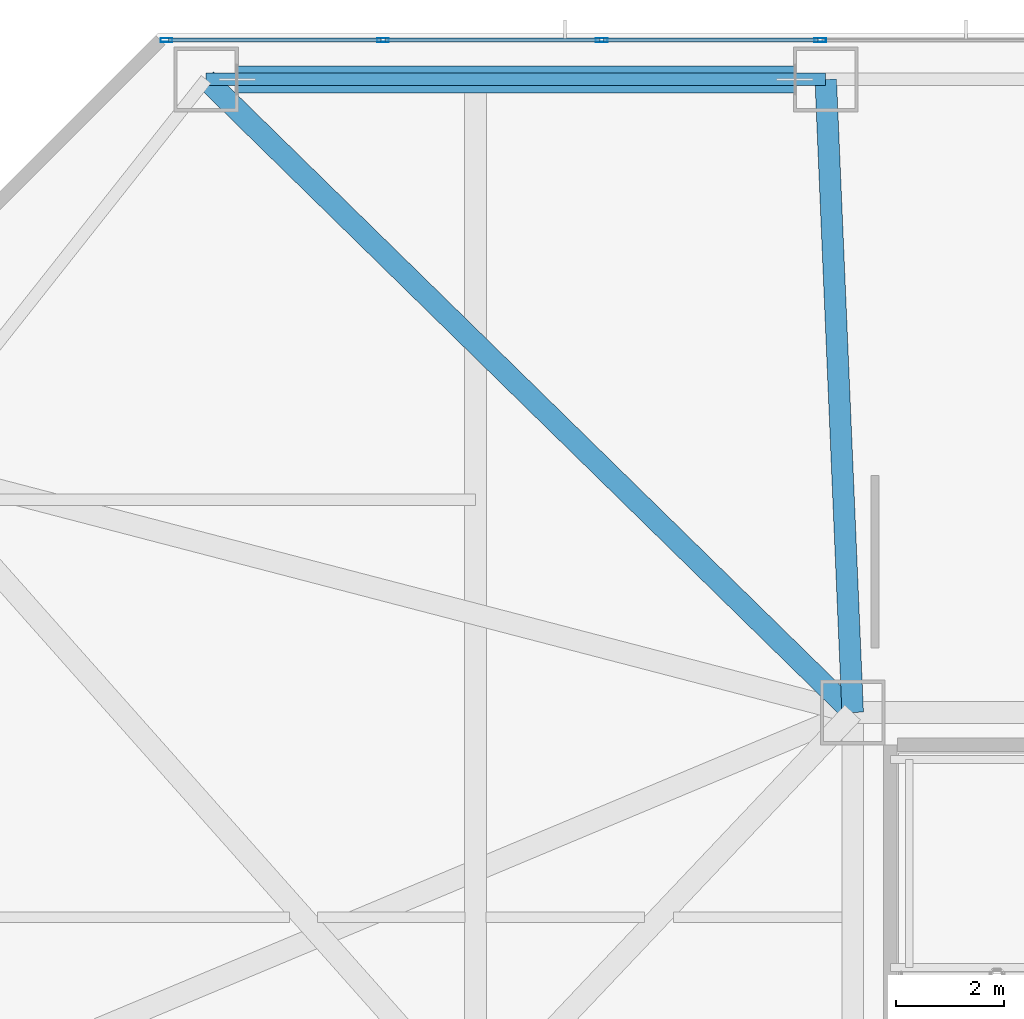
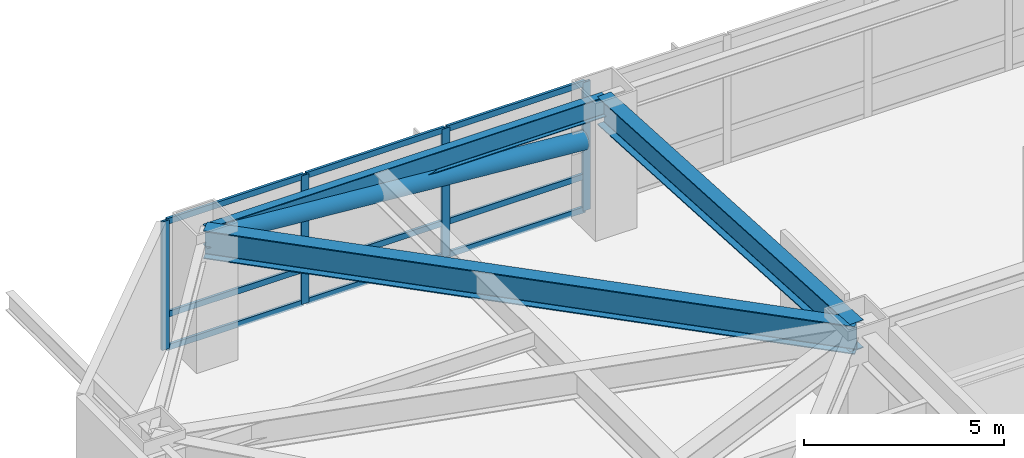
# One storey, part 3 of 25: 14 members, 3 beams, 1 element without a shape of its own.
"""IFC4 building model written with IfcOpenShell, lengths in metres."""

from ifc_helpers import new_model, si_unit, direction, frame, origin, origin_2d, place, context, subcontext, project, spatial, hollow_rectangle, hollow_circle, i_section, extrude, material, material_profile, profile_set, type_object, element, aggregate, save


model = new_model("IFC4")

# Units and contexts
model_context = context("Model", 3, precision=1e-05, world=origin(), true_north=direction((0.0, 1.0)))
body_context = subcontext(model_context, "Body", "Model", "MODEL_VIEW")
ifc_project = project(units=[si_unit("LENGTHUNIT", "METRE"), si_unit("AREAUNIT", "SQUARE_METRE"), si_unit("VOLUMEUNIT", "CUBIC_METRE"), si_unit("PLANEANGLEUNIT", "RADIAN"), si_unit("MASSUNIT", "GRAM", prefix="KILO")], contexts=[model_context])

# Site, building, storey
site_placement = place(None, origin())
site = spatial("IfcSite", under=ifc_project, at=site_placement, CompositionType="ELEMENT")
building_placement = place(site_placement, origin())
building = spatial("IfcBuilding", under=site, at=building_placement, Name="Khamvora Tower", CompositionType="ELEMENT")
storey_placement = place(building_placement, frame((0.0, 0.0, 16.199951171875)))
storey = spatial("IfcBuildingStorey", under=building, at=storey_placement, Name="L03", CompositionType="ELEMENT", Elevation=16.199951171875)

# Beams
ifc_material_1 = material(Name="Steel S355", Category="steel")
ifc_material_profile_1 = material_profile(ifc_material_1, i_section(OverallWidth=0.39990234375, OverallDepth=0.85498046875, WebThickness=0.01806640625, FlangeThickness=0.029052734375, FilletRadius=0.01806640625, at=origin_2d()), Name="W840x299")
ifc_profile_set_1 = profile_set([ifc_material_profile_1], Name="Steel S355")
beam_type_1 = type_object("IfcBeamType", Name="BM-PG-W840x299", PredefinedType="BEAM", material=ifc_profile_set_1)
beam_1_placement = place(storey_placement, frame((18.5, 43.39990234375, 3.4931640625), z_axis=(-0.714510426493, 0.699624792608, 0.0), x_axis=(-0.699624792608, -0.714510426493, 0.0)))
element("IfcBeam", 1, at=beam_1_placement, inside=storey, type_object=beam_type_1, Name="L03 primary floor girder P05", PredefinedType="BEAM", context=body_context, shape_type="SweptSolid", body=[
    extrude(i_section(OverallWidth=0.39990234375, OverallDepth=0.85498046875, WebThickness=0.01806640625, FlangeThickness=0.029052734375, FilletRadius=0.01806640625, at=origin_2d()), origin(), (0.0, 0.0, 1.0), 16.794677734375),
])
beam_2_placement = place(storey_placement, frame((18.5, 43.39990234375, 3.4931640625), z_axis=(-0.042514716625, 0.999095840683, 0.0), x_axis=(-0.999095840683, -0.042514716625, 0.0)))
element("IfcBeam", 2, at=beam_2_placement, inside=storey, type_object=beam_type_1, Name="L03 primary floor girder P06", PredefinedType="BEAM", context=body_context, shape_type="SweptSolid", body=[
    extrude(i_section(OverallWidth=0.39990234375, OverallDepth=0.85498046875, WebThickness=0.01806640625, FlangeThickness=0.029052734375, FilletRadius=0.01806640625, at=origin_2d()), origin(), (0.0, 0.0, 1.0), 11.7607421875),
])
ifc_material_profile_2 = material_profile(ifc_material_1, i_section(OverallWidth=0.22998046875, OverallDepth=0.616943359375, WebThickness=0.012939453125, FlangeThickness=0.02197265625, FilletRadius=0.013916015625, at=origin_2d()), Name="W610x140")
ifc_profile_set_2 = profile_set([ifc_material_profile_2], Name="Steel S355")
beam_type_2 = type_object("IfcBeamType", Name="BM-SP-W610x140", PredefinedType="SPANDREL", material=ifc_profile_set_2)
beam_3_placement = place(storey_placement, frame((18.0, 55.14990234375, 3.612060546875), z_axis=(-1.0, 0.0, 0.0), x_axis=(0.0, -1.0, 0.0)))
element("IfcBeam", 3, at=beam_3_placement, inside=storey, type_object=beam_type_2, Name="L03 perimeter spandrel beam P06-P05", PredefinedType="SPANDREL", context=body_context, shape_type="SweptSolid", body=[
    extrude(i_section(OverallWidth=0.22998046875, OverallDepth=0.616943359375, WebThickness=0.012939453125, FlangeThickness=0.02197265625, FilletRadius=0.013916015625, at=origin_2d()), origin(), (0.0, 0.0, 1.0), 11.5),
])

# Curtain wall, members
ifc_material_2 = material(Name="Anodised Aluminium 6063-T6", Category="aluminium")
curtain_wall_type = type_object("IfcCurtainWallType", Name="CW-SYS-01", PredefinedType="NOTDEFINED", material=ifc_material_2)
curtain_wall_placement = place(storey_placement, origin())
curtain_wall = element("IfcCurtainWall", 4, at=curtain_wall_placement, inside=storey, type_object=curtain_wall_type, Name="L03 stick curtain wall 07.1", PredefinedType="NOTDEFINED")
ifc_material_profile_3 = material_profile(ifc_material_2, hollow_rectangle(XDim=0.074951171875, YDim=0.219970703125, WallThickness=0.0048828125, at=origin_2d()), Name="MUL75x220x5")
ifc_profile_set_3 = profile_set([ifc_material_profile_3], Name="Anodised Aluminium 6063-T6")
member_type_1 = type_object("IfcMemberType", Name="CW-SYS-01-MUL", PredefinedType="MULLION", material=ifc_profile_set_3)
member_1_placement = place(storey_placement, frame((5.764404296875, 55.8798828125, 0.0), z_axis=(0.0, 0.0, 1.0), x_axis=(0.0, 1.0, 0.0)))
member_1 = element("IfcMember", 5, at=member_1_placement, type_object=member_type_1, Name="CW-01 mullion 1", PredefinedType="MULLION", context=body_context, shape_type="SweptSolid", body=[
    extrude(hollow_rectangle(XDim=0.074951171875, YDim=0.219970703125, WallThickness=0.0048828125, at=origin_2d()), origin(), (0.0, 0.0, 1.0), 3.920166015625),
])
member_2_placement = place(storey_placement, frame((9.78369140625, 55.8798828125, 0.0), z_axis=(0.0, 0.0, 1.0), x_axis=(0.0, 1.0, 0.0)))
member_2 = element("IfcMember", 6, at=member_2_placement, type_object=member_type_1, Name="CW-01 mullion 2", PredefinedType="MULLION", context=body_context, shape_type="SweptSolid", body=[
    extrude(hollow_rectangle(XDim=0.074951171875, YDim=0.219970703125, WallThickness=0.0048828125, at=origin_2d()), origin(), (0.0, 0.0, 1.0), 3.920166015625),
])
member_3_placement = place(storey_placement, frame((13.84033203125, 55.8798828125, 0.0), z_axis=(0.0, 0.0, 1.0), x_axis=(0.0, 1.0, 0.0)))
member_3 = element("IfcMember", 7, at=member_3_placement, type_object=member_type_1, Name="CW-01 mullion 3", PredefinedType="MULLION", context=body_context, shape_type="SweptSolid", body=[
    extrude(hollow_rectangle(XDim=0.074951171875, YDim=0.219970703125, WallThickness=0.0048828125, at=origin_2d()), origin(), (0.0, 0.0, 1.0), 3.920166015625),
])
member_4_placement = place(storey_placement, frame((17.89697265625, 55.8798828125, 0.0), z_axis=(0.0, 0.0, 1.0), x_axis=(0.0, 1.0, 0.0)))
member_4 = element("IfcMember", 8, at=member_4_placement, type_object=member_type_1, Name="CW-01 mullion 4", PredefinedType="MULLION", context=body_context, shape_type="SweptSolid", body=[
    extrude(hollow_rectangle(XDim=0.074951171875, YDim=0.219970703125, WallThickness=0.0048828125, at=origin_2d()), origin(), (0.0, 0.0, 1.0), 3.920166015625),
])
ifc_material_profile_4 = material_profile(ifc_material_2, hollow_rectangle(XDim=0.074951171875, YDim=0.179931640625, WallThickness=0.0048828125, at=origin_2d()), Name="TRN75x180x5")
ifc_profile_set_4 = profile_set([ifc_material_profile_4], Name="Anodised Aluminium 6063-T6")
member_type_2 = type_object("IfcMemberType", Name="CW-SYS-01-TRN", PredefinedType="USERDEFINED", material=ifc_profile_set_4)
member_5_placement = place(storey_placement, frame((5.802001953125, 55.8798828125, 0.03759765625), z_axis=(1.0, 0.0, 0.0), x_axis=(0.0, 1.0, 0.0)))
member_5 = element("IfcMember", 9, at=member_5_placement, type_object=member_type_2, Name="CW-01 transom 1.1", ObjectType="TRANSOM", PredefinedType="USERDEFINED", context=body_context, shape_type="SweptSolid", body=[
    extrude(hollow_rectangle(XDim=0.074951171875, YDim=0.179931640625, WallThickness=0.0048828125, at=origin_2d()), origin(), (0.0, 0.0, 1.0), 3.944091796875),
])
member_6_placement = place(storey_placement, frame((5.802001953125, 55.8798828125, 1.050048828125), z_axis=(1.0, 0.0, 0.0), x_axis=(0.0, 1.0, 0.0)))
member_6 = element("IfcMember", 10, at=member_6_placement, type_object=member_type_2, Name="CW-01 transom 1.2", ObjectType="TRANSOM", PredefinedType="USERDEFINED", context=body_context, shape_type="SweptSolid", body=[
    extrude(hollow_rectangle(XDim=0.074951171875, YDim=0.179931640625, WallThickness=0.0048828125, at=origin_2d()), origin(), (0.0, 0.0, 1.0), 3.944091796875),
])
member_7_placement = place(storey_placement, frame((5.802001953125, 55.8798828125, 3.882568359375), z_axis=(1.0, 0.0, 0.0), x_axis=(0.0, 1.0, 0.0)))
member_7 = element("IfcMember", 11, at=member_7_placement, type_object=member_type_2, Name="CW-01 transom 1.3", ObjectType="TRANSOM", PredefinedType="USERDEFINED", context=body_context, shape_type="SweptSolid", body=[
    extrude(hollow_rectangle(XDim=0.074951171875, YDim=0.179931640625, WallThickness=0.0048828125, at=origin_2d()), origin(), (0.0, 0.0, 1.0), 3.944091796875),
])
member_8_placement = place(storey_placement, frame((9.821044921875, 55.8798828125, 0.03759765625), z_axis=(1.0, 0.0, 0.0), x_axis=(0.0, 1.0, 0.0)))
member_8 = element("IfcMember", 12, at=member_8_placement, type_object=member_type_2, Name="CW-01 transom 2.1", ObjectType="TRANSOM", PredefinedType="USERDEFINED", context=body_context, shape_type="SweptSolid", body=[
    extrude(hollow_rectangle(XDim=0.074951171875, YDim=0.179931640625, WallThickness=0.0048828125, at=origin_2d()), origin(), (0.0, 0.0, 1.0), 3.981689453125),
])
member_9_placement = place(storey_placement, frame((9.821044921875, 55.8798828125, 1.050048828125), z_axis=(1.0, 0.0, 0.0), x_axis=(0.0, 1.0, 0.0)))
member_9 = element("IfcMember", 13, at=member_9_placement, type_object=member_type_2, Name="CW-01 transom 2.2", ObjectType="TRANSOM", PredefinedType="USERDEFINED", context=body_context, shape_type="SweptSolid", body=[
    extrude(hollow_rectangle(XDim=0.074951171875, YDim=0.179931640625, WallThickness=0.0048828125, at=origin_2d()), origin(), (0.0, 0.0, 1.0), 3.981689453125),
])
member_10_placement = place(storey_placement, frame((9.821044921875, 55.8798828125, 3.882568359375), z_axis=(1.0, 0.0, 0.0), x_axis=(0.0, 1.0, 0.0)))
member_10 = element("IfcMember", 14, at=member_10_placement, type_object=member_type_2, Name="CW-01 transom 2.3", ObjectType="TRANSOM", PredefinedType="USERDEFINED", context=body_context, shape_type="SweptSolid", body=[
    extrude(hollow_rectangle(XDim=0.074951171875, YDim=0.179931640625, WallThickness=0.0048828125, at=origin_2d()), origin(), (0.0, 0.0, 1.0), 3.981689453125),
])
member_11_placement = place(storey_placement, frame((13.877685546875, 55.8798828125, 0.03759765625), z_axis=(1.0, 0.0, 0.0), x_axis=(0.0, 1.0, 0.0)))
member_11 = element("IfcMember", 15, at=member_11_placement, type_object=member_type_2, Name="CW-01 transom 3.1", ObjectType="TRANSOM", PredefinedType="USERDEFINED", context=body_context, shape_type="SweptSolid", body=[
    extrude(hollow_rectangle(XDim=0.074951171875, YDim=0.179931640625, WallThickness=0.0048828125, at=origin_2d()), origin(), (0.0, 0.0, 1.0), 3.981689453125),
])
member_12_placement = place(storey_placement, frame((13.877685546875, 55.8798828125, 1.050048828125), z_axis=(1.0, 0.0, 0.0), x_axis=(0.0, 1.0, 0.0)))
member_12 = element("IfcMember", 16, at=member_12_placement, type_object=member_type_2, Name="CW-01 transom 3.2", ObjectType="TRANSOM", PredefinedType="USERDEFINED", context=body_context, shape_type="SweptSolid", body=[
    extrude(hollow_rectangle(XDim=0.074951171875, YDim=0.179931640625, WallThickness=0.0048828125, at=origin_2d()), origin(), (0.0, 0.0, 1.0), 3.981689453125),
])
member_13_placement = place(storey_placement, frame((13.877685546875, 55.8798828125, 3.882568359375), z_axis=(1.0, 0.0, 0.0), x_axis=(0.0, 1.0, 0.0)))
member_13 = element("IfcMember", 17, at=member_13_placement, type_object=member_type_2, Name="CW-01 transom 3.3", ObjectType="TRANSOM", PredefinedType="USERDEFINED", context=body_context, shape_type="SweptSolid", body=[
    extrude(hollow_rectangle(XDim=0.074951171875, YDim=0.179931640625, WallThickness=0.0048828125, at=origin_2d()), origin(), (0.0, 0.0, 1.0), 3.981689453125),
])
aggregate(curtain_wall, [member_1, member_2, member_3, member_4, member_5, member_6, member_7, member_8, member_9, member_10, member_11, member_12, member_13])

# Member
ifc_material_3 = material(Name="Steel S460", Category="steel")
ifc_material_profile_5 = material_profile(ifc_material_3, hollow_circle(Radius=0.25390625, WallThickness=0.02490234375, at=origin_2d()), Name="CHS508x25")
ifc_profile_set_5 = profile_set([ifc_material_profile_5], Name="Steel S460")
member_type_3 = type_object("IfcMemberType", Name="MEM-BR-CHS508", PredefinedType="BRACE", material=ifc_profile_set_5)
member_14_placement = place(storey_placement, frame((17.422119140625, 55.14990234375, 2.72705078125), z_axis=(-0.996735497973, 0.0, 0.080736281072), x_axis=(0.0, -1.0, 0.0)))
element("IfcMember", 18, at=member_14_placement, inside=storey, type_object=member_type_3, Name="L03 perimeter wind brace 3", PredefinedType="BRACE", context=body_context, shape_type="SweptSolid", body=[
    extrude(hollow_circle(Radius=0.25390625, WallThickness=0.02490234375, at=origin_2d()), origin(), (0.0, 0.0, 1.0), 10.378173828125),
])

save(model, "model.ifc")
